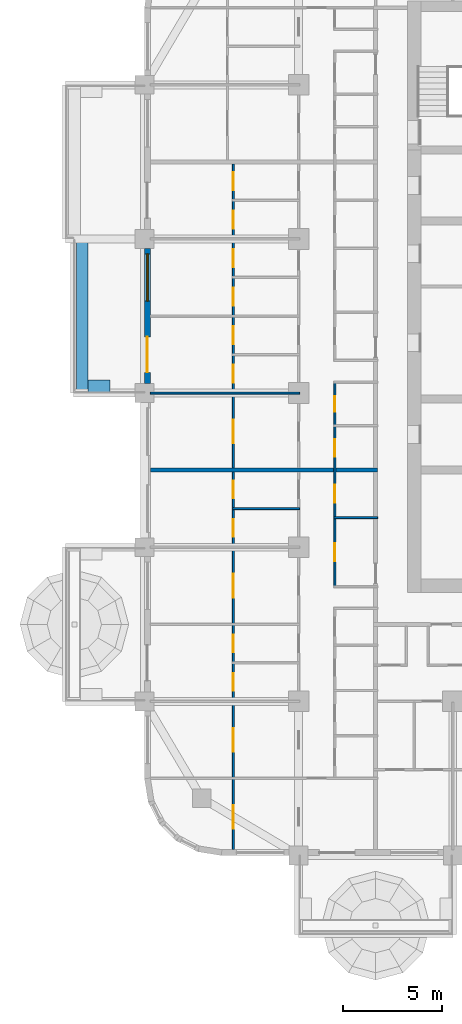
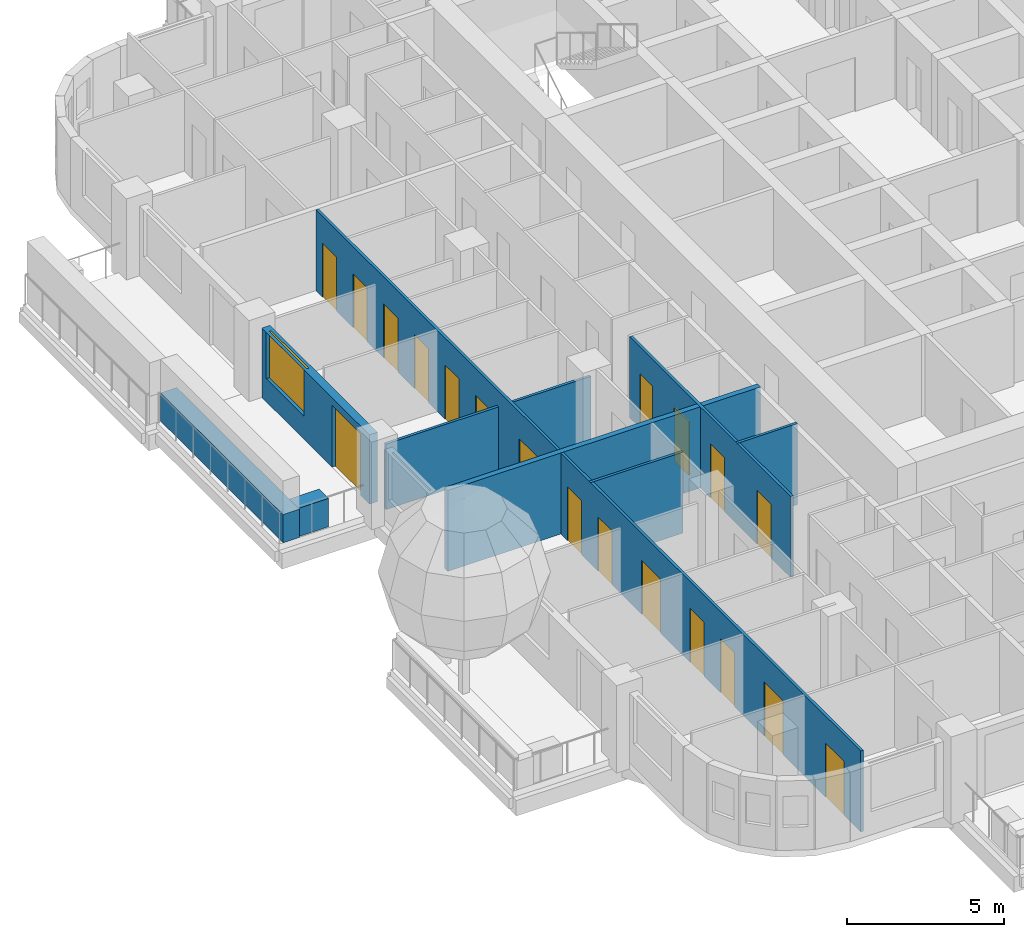
# One storey, part 5 of 19: 19 doors, 9 walls, 1 window, 20 openings.
"""IFC4 building model written with IfcOpenShell, lengths in metres."""

from ifc_helpers import new_model, si_unit, direction, frame, frame_2d, origin, place, context, subcontext, project, spatial, rectangle, extrude, material, layer, layer_set, type_object, element, fill, save


model = new_model("IFC4")

# Units and contexts
model_context = context("Model", 3, precision=1e-05, world=origin(), true_north=direction((0.0, 1.0)))
body_context = subcontext(model_context, "Body", "Model", "MODEL_VIEW")
ifc_project = project(units=[si_unit("LENGTHUNIT", "METRE"), si_unit("AREAUNIT", "SQUARE_METRE"), si_unit("VOLUMEUNIT", "CUBIC_METRE"), si_unit("PLANEANGLEUNIT", "RADIAN"), si_unit("MASSUNIT", "GRAM", prefix="KILO")], contexts=[model_context])

# Site, building, storey
site_placement = place(None, origin())
site = spatial("IfcSite", under=ifc_project, at=site_placement, CompositionType="ELEMENT")
building_placement = place(site_placement, origin())
building = spatial("IfcBuilding", under=site, at=building_placement, Name="Ludao Terraces", CompositionType="ELEMENT")
storey_placement = place(building_placement, frame((0.0, 0.0, 81.800048828125)))
storey = spatial("IfcBuildingStorey", under=building, at=storey_placement, Name="L22", CompositionType="ELEMENT", Elevation=81.800048828125)

# Walls
ifc_material_1 = material(Name="Concrete C40", Category="concrete")
ifc_layer_1 = layer(ifc_material_1, 0.60009765625)
ifc_layer_set_1 = layer_set([ifc_layer_1], Name="ENV Planter trough 600")
wall_type_1 = type_object("IfcWallType", Name="ENV Planter trough 600", PredefinedType="USERDEFINED", material=ifc_layer_set_1)
wall_1_placement = place(storey_placement, frame((58.449951171875, 65.0, 0.0), z_axis=(0.0, 0.0, 1.0), x_axis=(0.0, 1.0, 0.0)))
element("IfcWall", 1, at=wall_1_placement, inside=storey, type_object=wall_type_1, Name="PL-L22-W3", ObjectType="PLANTER", PredefinedType="USERDEFINED", context=body_context, shape_type="SweptSolid", body=[
    extrude(rectangle(XDim=7.800048828125, YDim=0.60009765625, at=frame_2d((3.89990234375, 0.0))), origin(), (0.0, 0.0, 1.0), 1.099853515625),
])
wall_2_placement = place(storey_placement, frame((58.75, 65.35009765625, 0.0), z_axis=(0.0, 0.0, 1.0), x_axis=(1.0, 0.0, 0.0)))
element("IfcWall", 2, at=wall_2_placement, inside=storey, type_object=wall_type_1, Name="PL-L22-W3-SA", ObjectType="PLANTER", PredefinedType="USERDEFINED", context=body_context, shape_type="SweptSolid", body=[
    extrude(rectangle(XDim=1.10009765625, YDim=0.60009765625, at=frame_2d((0.550048828125, 0.0))), origin(), (0.0, 0.0, 1.0), 1.099853515625),
])

# Wall, openings, door, window
ifc_material_2 = material(Name="Granite cladding", Category="masonry")
ifc_layer_2 = layer(ifc_material_2, 0.0400390625, Category="stone")
ifc_material_3 = material(Name="Mineral wool")
ifc_layer_3 = layer(ifc_material_3, 0.06005859375)
ifc_layer_4 = layer(ifc_material_1, 0.199951171875, Category="concrete")
ifc_layer_set_2 = layer_set([ifc_layer_2, ifc_layer_3, ifc_layer_4], Name="ENV Stone-clad wall 300")
wall_type_2 = type_object("IfcWallType", Name="ENV Stone-clad wall 300", PredefinedType="SOLIDWALL", material=ifc_layer_set_2)
wall_3_placement = place(storey_placement, frame((61.75, 65.47509765625, 0.0), z_axis=(0.0, 0.0, 1.0), x_axis=(0.0, 1.0, 0.0)))
wall_3 = element("IfcWall", 3, at=wall_3_placement, inside=storey, type_object=wall_type_2, Name="EW-L22-W4", PredefinedType="SOLIDWALL", context=body_context, shape_type="SweptSolid", body=[
    extrude(rectangle(XDim=6.849853515625, YDim=0.300048828125, at=frame_2d((3.4248046875, 0.0))), origin(), (0.0, 0.0, 1.0), 2.699951171875),
])
opening_1_placement = place(wall_3_placement, frame((0.574951171875, 0.0, 0.0)))
opening_1 = element("IfcOpeningElement", 4, at=opening_1_placement, cuts=wall_3, Name="Opening BD", PredefinedType="OPENING", context=body_context, shape_type="SweptSolid", body=[
    extrude(rectangle(XDim=1.800048828125, YDim=2.39990234375, at=frame_2d((0.89990234375, 1.199951171875))), frame((0.0, 0.16015625, 0.0), z_axis=(0.0, -1.0, 0.0), x_axis=(1.0, 0.0, 0.0)), (0.0, 0.0, 1.0), 0.320068359375),
])
opening_2_placement = place(wall_3_placement, frame((4.175048828125, 0.0, 0.89990234375)))
opening_2 = element("IfcOpeningElement", 5, at=opening_2_placement, cuts=wall_3, Name="Opening W1", PredefinedType="OPENING", context=body_context, shape_type="SweptSolid", body=[
    extrude(rectangle(XDim=2.39990234375, YDim=1.800048828125, at=frame_2d((1.199951171875, 0.89990234375))), frame((0.0, 0.16015625, 0.0), z_axis=(0.0, -1.0, 0.0), x_axis=(1.0, 0.0, 0.0)), (0.0, 0.0, 1.0), 0.320068359375),
])
ifc_material_4 = material(Name="Aluminium glazed door", Category="aluminium")
ifc_layer_5 = layer(ifc_material_4, 0.06005859375)
ifc_layer_set_3 = layer_set([ifc_layer_5], Name="ENV Balcony door BD 1800x2400")
door_type_1 = type_object("IfcDoorType", Name="ENV Balcony door BD 1800x2400", OperationType="DOUBLE_DOOR_SINGLE_SWING", PredefinedType="DOOR", material=ifc_layer_set_3)
door_1_placement = place(opening_1_placement, origin())
door_1 = element("IfcDoor", 6, at=door_1_placement, inside=storey, type_object=door_type_1, Name="BD-L22-W4-1", OperationType="DOUBLE_DOOR_SINGLE_SWING", OverallHeight=2.39990234375, OverallWidth=1.800048828125, PredefinedType="DOOR", context=body_context, shape_type="SweptSolid", body=[
    extrude(rectangle(XDim=1.800048828125, YDim=2.39990234375, at=frame_2d((0.89990234375, 1.199951171875))), frame((0.0, 0.02490234375, 0.0), z_axis=(0.0, -1.0, 0.0), x_axis=(1.0, 0.0, 0.0)), (0.0, 0.0, 1.0), 0.050048828125),
])
fill(opening_1, door_1)
ifc_material_5 = material(Name="Clear glass in aluminium frame", Category="aluminium")
ifc_layer_6 = layer(ifc_material_5, 0.06005859375)
ifc_layer_set_4 = layer_set([ifc_layer_6], Name="ENV Window W1 2400x1800")
window_type = type_object("IfcWindowType", Name="ENV Window W1 2400x1800", PartitioningType="DOUBLE_PANEL_VERTICAL", PredefinedType="WINDOW", material=ifc_layer_set_4)
window_placement = place(opening_2_placement, origin())
window = element("IfcWindow", 7, at=window_placement, inside=storey, type_object=window_type, Name="W-L22-W4-2", OverallHeight=1.800048828125, OverallWidth=2.39990234375, PartitioningType="DOUBLE_PANEL_VERTICAL", PredefinedType="WINDOW", context=body_context, shape_type="SweptSolid", body=[
    extrude(rectangle(XDim=2.39990234375, YDim=1.800048828125, at=frame_2d((1.199951171875, 0.89990234375))), frame((0.0, 0.030029296875, 0.0), z_axis=(0.0, -1.0, 0.0), x_axis=(1.0, 0.0, 0.0)), (0.0, 0.0, 1.0), 0.06005859375),
])
fill(opening_2, window)

# Walls
ifc_material_6 = material(Name="Gypsum plasterboard", Category="gypsum")
ifc_layer_7 = layer(ifc_material_6, 0.012451171875, Category="gypsum")
ifc_layer_8 = layer(ifc_material_3, 0.06005859375, Name="insulation")
ifc_material_7 = material(Name="Steel Q235", Category="steel")
ifc_layer_9 = layer(ifc_material_7, 0.014892578125, Name="stud")
ifc_layer_10 = layer(ifc_material_6, 0.012451171875, Category="gypsum")
ifc_layer_set_5 = layer_set([ifc_layer_7, ifc_layer_8, ifc_layer_9, ifc_layer_10], Name="INT Partition 100")
wall_type_3 = type_object("IfcWallType", Name="INT Partition 100", PredefinedType="PARTITIONING", material=ifc_layer_set_5)
wall_4_placement = place(storey_placement, frame((71.18017578125, 58.699951171875, 0.0), z_axis=(0.0, 0.0, 1.0), x_axis=(1.0, 0.0, 0.0)))
element("IfcWall", 8, at=wall_4_placement, inside=storey, type_object=wall_type_3, Name="PW-L22-PW029", PredefinedType="PARTITIONING", context=body_context, shape_type="SweptSolid", body=[
    extrude(rectangle(XDim=2.219970703125, YDim=0.10009765625, at=frame_2d((1.10986328125, 0.0))), origin(), (0.0, 0.0, 1.0), 3.14990234375),
])
wall_5_placement = place(storey_placement, frame((66.050048828125, 59.14990234375, 0.0), z_axis=(0.0, 0.0, 1.0), x_axis=(1.0, 0.0, 0.0)))
element("IfcWall", 9, at=wall_5_placement, inside=storey, type_object=wall_type_3, Name="PW-L22-PW030", PredefinedType="PARTITIONING", context=body_context, shape_type="SweptSolid", body=[
    extrude(rectangle(XDim=3.400146484375, YDim=0.10009765625, at=frame_2d((1.7001953125, 0.0))), origin(), (0.0, 0.0, 1.0), 3.14990234375),
])
wall_6_placement = place(storey_placement, frame((61.900146484375, 65.0, 0.0), z_axis=(0.0, 0.0, 1.0), x_axis=(1.0, 0.0, 0.0)))
element("IfcWall", 10, at=wall_6_placement, inside=storey, type_object=wall_type_3, Name="PW-L22-PW040", PredefinedType="PARTITIONING", context=body_context, shape_type="SweptSolid", body=[
    extrude(rectangle(XDim=7.550048828125, YDim=0.10009765625, at=frame_2d((3.77490234375, 0.0))), origin(), (0.0, 0.0, 1.0), 2.5498046875),
])

# Wall, openings, doors
wall_7_placement = place(storey_placement, frame((66.10009765625, 41.900146484375, 0.0), z_axis=(0.0, 0.0, 1.0), x_axis=(0.0, 1.0, 0.0)))
wall_7 = element("IfcWall", 11, at=wall_7_placement, inside=storey, type_object=wall_type_3, Name="PW-L22-PW082", PredefinedType="PARTITIONING", context=body_context, shape_type="SweptSolid", body=[
    extrude(rectangle(XDim=34.699951171875, YDim=0.10009765625, at=frame_2d((17.35009765625, 0.0))), origin(), (0.0, 0.0, 1.0), 3.14990234375),
])
opening_3_placement = place(wall_7_placement, frame((1.050048828125, 0.0, 0.0)))
opening_3 = element("IfcOpeningElement", 12, at=opening_3_placement, cuts=wall_7, Name="Opening R06-001", PredefinedType="OPENING", context=body_context, shape_type="SweptSolid", body=[
    extrude(rectangle(XDim=1.199951171875, YDim=2.10009765625, at=frame_2d((0.60009765625, 1.050048828125))), frame((0.0, 0.06005859375, 0.0), z_axis=(0.0, -1.0, 0.0), x_axis=(1.0, 0.0, 0.0)), (0.0, 0.0, 1.0), 0.1201171875),
])
opening_4_placement = place(wall_7_placement, frame((4.949951171875, 0.0, 0.0)))
opening_4 = element("IfcOpeningElement", 13, at=opening_4_placement, cuts=wall_7, Name="Opening R06-019", PredefinedType="OPENING", context=body_context, shape_type="SweptSolid", body=[
    extrude(rectangle(XDim=1.199951171875, YDim=2.10009765625, at=frame_2d((0.60009765625, 1.050048828125))), frame((0.0, 0.06005859375, 0.0), z_axis=(0.0, -1.0, 0.0), x_axis=(1.0, 0.0, 0.0)), (0.0, 0.0, 1.0), 0.1201171875),
])
opening_5_placement = place(wall_7_placement, frame((8.02490234375, 0.0, 0.0)))
opening_5 = element("IfcOpeningElement", 14, at=opening_5_placement, cuts=wall_7, Name="Opening R06-031", PredefinedType="OPENING", context=body_context, shape_type="SweptSolid", body=[
    extrude(rectangle(XDim=0.89990234375, YDim=2.10009765625, at=frame_2d((0.449951171875, 1.050048828125))), frame((0.0, 0.06005859375, 0.0), z_axis=(0.0, -1.0, 0.0), x_axis=(1.0, 0.0, 0.0)), (0.0, 0.0, 1.0), 0.1201171875),
])
opening_6_placement = place(wall_7_placement, frame((9.97509765625, 0.0, 0.0)))
opening_6 = element("IfcOpeningElement", 15, at=opening_6_placement, cuts=wall_7, Name="Opening R06-044", PredefinedType="OPENING", context=body_context, shape_type="SweptSolid", body=[
    extrude(rectangle(XDim=0.89990234375, YDim=2.10009765625, at=frame_2d((0.449951171875, 1.050048828125))), frame((0.0, 0.06005859375, 0.0), z_axis=(0.0, -1.0, 0.0), x_axis=(1.0, 0.0, 0.0)), (0.0, 0.0, 1.0), 0.1201171875),
])
opening_7_placement = place(wall_7_placement, frame((12.75, 0.0, 0.0)))
opening_7 = element("IfcOpeningElement", 16, at=opening_7_placement, cuts=wall_7, Name="Opening R06-051", PredefinedType="OPENING", context=body_context, shape_type="SweptSolid", body=[
    extrude(rectangle(XDim=1.199951171875, YDim=2.10009765625, at=frame_2d((0.60009765625, 1.050048828125))), frame((0.0, 0.06005859375, 0.0), z_axis=(0.0, -1.0, 0.0), x_axis=(1.0, 0.0, 0.0)), (0.0, 0.0, 1.0), 0.1201171875),
])
opening_8_placement = place(wall_7_placement, frame((15.824951171875, 0.0, 0.0)))
opening_8 = element("IfcOpeningElement", 17, at=opening_8_placement, cuts=wall_7, Name="Opening R06-063", PredefinedType="OPENING", context=body_context, shape_type="SweptSolid", body=[
    extrude(rectangle(XDim=0.89990234375, YDim=2.10009765625, at=frame_2d((0.449951171875, 1.050048828125))), frame((0.0, 0.06005859375, 0.0), z_axis=(0.0, -1.0, 0.0), x_axis=(1.0, 0.0, 0.0)), (0.0, 0.0, 1.0), 0.1201171875),
])
opening_9_placement = place(wall_7_placement, frame((17.77490234375, 0.0, 0.0)))
opening_9 = element("IfcOpeningElement", 18, at=opening_9_placement, cuts=wall_7, Name="Opening R06-067", PredefinedType="OPENING", context=body_context, shape_type="SweptSolid", body=[
    extrude(rectangle(XDim=0.89990234375, YDim=2.10009765625, at=frame_2d((0.449951171875, 1.050048828125))), frame((0.0, 0.06005859375, 0.0), z_axis=(0.0, -1.0, 0.0), x_axis=(1.0, 0.0, 0.0)), (0.0, 0.0, 1.0), 0.1201171875),
])
opening_10_placement = place(wall_7_placement, frame((20.550048828125, 0.0, 0.0)))
opening_10 = element("IfcOpeningElement", 19, at=opening_10_placement, cuts=wall_7, Name="Opening R06-077", PredefinedType="OPENING", context=body_context, shape_type="SweptSolid", body=[
    extrude(rectangle(XDim=1.199951171875, YDim=2.10009765625, at=frame_2d((0.60009765625, 1.050048828125))), frame((0.0, 0.06005859375, 0.0), z_axis=(0.0, -1.0, 0.0), x_axis=(1.0, 0.0, 0.0)), (0.0, 0.0, 1.0), 0.1201171875),
])
opening_11_placement = place(wall_7_placement, frame((23.625, 0.0, 0.0)))
opening_11 = element("IfcOpeningElement", 20, at=opening_11_placement, cuts=wall_7, Name="Opening R06-087", PredefinedType="OPENING", context=body_context, shape_type="SweptSolid", body=[
    extrude(rectangle(XDim=0.89990234375, YDim=2.10009765625, at=frame_2d((0.449951171875, 1.050048828125))), frame((0.0, 0.06005859375, 0.0), z_axis=(0.0, -1.0, 0.0), x_axis=(1.0, 0.0, 0.0)), (0.0, 0.0, 1.0), 0.1201171875),
])
opening_12_placement = place(wall_7_placement, frame((25.574951171875, 0.0, 0.0)))
opening_12 = element("IfcOpeningElement", 21, at=opening_12_placement, cuts=wall_7, Name="Opening R06-094", PredefinedType="OPENING", context=body_context, shape_type="SweptSolid", body=[
    extrude(rectangle(XDim=0.89990234375, YDim=2.10009765625, at=frame_2d((0.449951171875, 1.050048828125))), frame((0.0, 0.06005859375, 0.0), z_axis=(0.0, -1.0, 0.0), x_axis=(1.0, 0.0, 0.0)), (0.0, 0.0, 1.0), 0.1201171875),
])
opening_13_placement = place(wall_7_placement, frame((27.52490234375, 0.0, 0.0)))
opening_13 = element("IfcOpeningElement", 22, at=opening_13_placement, cuts=wall_7, Name="Opening R06-100", PredefinedType="OPENING", context=body_context, shape_type="SweptSolid", body=[
    extrude(rectangle(XDim=0.89990234375, YDim=2.10009765625, at=frame_2d((0.449951171875, 1.050048828125))), frame((0.0, 0.06005859375, 0.0), z_axis=(0.0, -1.0, 0.0), x_axis=(1.0, 0.0, 0.0)), (0.0, 0.0, 1.0), 0.1201171875),
])
opening_14_placement = place(wall_7_placement, frame((29.47509765625, 0.0, 0.0)))
opening_14 = element("IfcOpeningElement", 23, at=opening_14_placement, cuts=wall_7, Name="Opening R06-107", PredefinedType="OPENING", context=body_context, shape_type="SweptSolid", body=[
    extrude(rectangle(XDim=0.89990234375, YDim=2.10009765625, at=frame_2d((0.449951171875, 1.050048828125))), frame((0.0, 0.06005859375, 0.0), z_axis=(0.0, -1.0, 0.0), x_axis=(1.0, 0.0, 0.0)), (0.0, 0.0, 1.0), 0.1201171875),
])
opening_15_placement = place(wall_7_placement, frame((31.425048828125, 0.0, 0.0)))
opening_15 = element("IfcOpeningElement", 24, at=opening_15_placement, cuts=wall_7, Name="Opening R06-115", PredefinedType="OPENING", context=body_context, shape_type="SweptSolid", body=[
    extrude(rectangle(XDim=0.89990234375, YDim=2.10009765625, at=frame_2d((0.449951171875, 1.050048828125))), frame((0.0, 0.06005859375, 0.0), z_axis=(0.0, -1.0, 0.0), x_axis=(1.0, 0.0, 0.0)), (0.0, 0.0, 1.0), 0.1201171875),
])
opening_16_placement = place(wall_7_placement, frame((33.375, 0.0, 0.0)))
opening_16 = element("IfcOpeningElement", 25, at=opening_16_placement, cuts=wall_7, Name="Opening R06-123", PredefinedType="OPENING", context=body_context, shape_type="SweptSolid", body=[
    extrude(rectangle(XDim=0.89990234375, YDim=2.10009765625, at=frame_2d((0.449951171875, 1.050048828125))), frame((0.0, 0.06005859375, 0.0), z_axis=(0.0, -1.0, 0.0), x_axis=(1.0, 0.0, 0.0)), (0.0, 0.0, 1.0), 0.1201171875),
])
ifc_material_8 = material(Name="Timber door leaf", Category="wood")
door_type_2 = type_object("IfcDoorType", Name="INT Bathroom door 900", OperationType="SINGLE_SWING_LEFT", PredefinedType="DOOR", material=ifc_material_8)
door_2_placement = place(opening_5_placement, origin())
door_2 = element("IfcDoor", 26, at=door_2_placement, inside=storey, type_object=door_type_2, Name="DOOR 031", OperationType="SINGLE_SWING_RIGHT", OverallHeight=2.10009765625, OverallWidth=0.89990234375, PredefinedType="DOOR", context=body_context, shape_type="SweptSolid", body=[
    extrude(rectangle(XDim=0.89990234375, YDim=2.10009765625, at=frame_2d((0.449951171875, 1.050048828125))), frame((0.0, 0.02490234375, 0.0), z_axis=(0.0, -1.0, 0.0), x_axis=(1.0, 0.0, 0.0)), (0.0, 0.0, 1.0), 0.050048828125),
])
fill(opening_5, door_2)
door_3_placement = place(opening_8_placement, origin())
door_3 = element("IfcDoor", 27, at=door_3_placement, inside=storey, type_object=door_type_2, Name="DOOR 063", OperationType="SINGLE_SWING_LEFT", OverallHeight=2.10009765625, OverallWidth=0.89990234375, PredefinedType="DOOR", context=body_context, shape_type="SweptSolid", body=[
    extrude(rectangle(XDim=0.89990234375, YDim=2.10009765625, at=frame_2d((0.449951171875, 1.050048828125))), frame((0.0, 0.02490234375, 0.0), z_axis=(0.0, -1.0, 0.0), x_axis=(1.0, 0.0, 0.0)), (0.0, 0.0, 1.0), 0.050048828125),
])
fill(opening_8, door_3)
door_4_placement = place(opening_11_placement, origin())
door_4 = element("IfcDoor", 28, at=door_4_placement, inside=storey, type_object=door_type_2, Name="DOOR 087", OperationType="SINGLE_SWING_LEFT", OverallHeight=2.10009765625, OverallWidth=0.89990234375, PredefinedType="DOOR", context=body_context, shape_type="SweptSolid", body=[
    extrude(rectangle(XDim=0.89990234375, YDim=2.10009765625, at=frame_2d((0.449951171875, 1.050048828125))), frame((0.0, 0.02490234375, 0.0), z_axis=(0.0, -1.0, 0.0), x_axis=(1.0, 0.0, 0.0)), (0.0, 0.0, 1.0), 0.050048828125),
])
fill(opening_11, door_4)
door_5_placement = place(opening_13_placement, origin())
door_5 = element("IfcDoor", 29, at=door_5_placement, inside=storey, type_object=door_type_2, Name="DOOR 100", OperationType="SINGLE_SWING_RIGHT", OverallHeight=2.10009765625, OverallWidth=0.89990234375, PredefinedType="DOOR", context=body_context, shape_type="SweptSolid", body=[
    extrude(rectangle(XDim=0.89990234375, YDim=2.10009765625, at=frame_2d((0.449951171875, 1.050048828125))), frame((0.0, 0.02490234375, 0.0), z_axis=(0.0, -1.0, 0.0), x_axis=(1.0, 0.0, 0.0)), (0.0, 0.0, 1.0), 0.050048828125),
])
fill(opening_13, door_5)
door_6_placement = place(opening_15_placement, origin())
door_6 = element("IfcDoor", 30, at=door_6_placement, inside=storey, type_object=door_type_2, Name="DOOR 115", OperationType="SINGLE_SWING_RIGHT", OverallHeight=2.10009765625, OverallWidth=0.89990234375, PredefinedType="DOOR", context=body_context, shape_type="SweptSolid", body=[
    extrude(rectangle(XDim=0.89990234375, YDim=2.10009765625, at=frame_2d((0.449951171875, 1.050048828125))), frame((0.0, 0.02490234375, 0.0), z_axis=(0.0, -1.0, 0.0), x_axis=(1.0, 0.0, 0.0)), (0.0, 0.0, 1.0), 0.050048828125),
])
fill(opening_15, door_6)
door_type_3 = type_object("IfcDoorType", Name="INT Double door 1200", OperationType="DOUBLE_DOOR_SINGLE_SWING", PredefinedType="DOOR", material=ifc_material_8)
door_7_placement = place(opening_3_placement, origin())
door_7 = element("IfcDoor", 31, at=door_7_placement, inside=storey, type_object=door_type_3, Name="DOOR 001", OperationType="DOUBLE_DOOR_SINGLE_SWING", OverallHeight=2.10009765625, OverallWidth=1.199951171875, PredefinedType="DOOR", context=body_context, shape_type="SweptSolid", body=[
    extrude(rectangle(XDim=1.199951171875, YDim=2.10009765625, at=frame_2d((0.60009765625, 1.050048828125))), frame((0.0, 0.02490234375, 0.0), z_axis=(0.0, -1.0, 0.0), x_axis=(1.0, 0.0, 0.0)), (0.0, 0.0, 1.0), 0.050048828125),
])
fill(opening_3, door_7)
door_8_placement = place(opening_4_placement, origin())
door_8 = element("IfcDoor", 32, at=door_8_placement, inside=storey, type_object=door_type_3, Name="DOOR 019", OperationType="DOUBLE_DOOR_SINGLE_SWING", OverallHeight=2.10009765625, OverallWidth=1.199951171875, PredefinedType="DOOR", context=body_context, shape_type="SweptSolid", body=[
    extrude(rectangle(XDim=1.199951171875, YDim=2.10009765625, at=frame_2d((0.60009765625, 1.050048828125))), frame((0.0, 0.02490234375, 0.0), z_axis=(0.0, -1.0, 0.0), x_axis=(1.0, 0.0, 0.0)), (0.0, 0.0, 1.0), 0.050048828125),
])
fill(opening_4, door_8)
door_9_placement = place(opening_7_placement, origin())
door_9 = element("IfcDoor", 33, at=door_9_placement, inside=storey, type_object=door_type_3, Name="DOOR 051", OperationType="DOUBLE_DOOR_SINGLE_SWING", OverallHeight=2.10009765625, OverallWidth=1.199951171875, PredefinedType="DOOR", context=body_context, shape_type="SweptSolid", body=[
    extrude(rectangle(XDim=1.199951171875, YDim=2.10009765625, at=frame_2d((0.60009765625, 1.050048828125))), frame((0.0, 0.02490234375, 0.0), z_axis=(0.0, -1.0, 0.0), x_axis=(1.0, 0.0, 0.0)), (0.0, 0.0, 1.0), 0.050048828125),
])
fill(opening_7, door_9)
door_10_placement = place(opening_10_placement, origin())
door_10 = element("IfcDoor", 34, at=door_10_placement, inside=storey, type_object=door_type_3, Name="DOOR 077", OperationType="DOUBLE_DOOR_SINGLE_SWING", OverallHeight=2.10009765625, OverallWidth=1.199951171875, PredefinedType="DOOR", context=body_context, shape_type="SweptSolid", body=[
    extrude(rectangle(XDim=1.199951171875, YDim=2.10009765625, at=frame_2d((0.60009765625, 1.050048828125))), frame((0.0, 0.02490234375, 0.0), z_axis=(0.0, -1.0, 0.0), x_axis=(1.0, 0.0, 0.0)), (0.0, 0.0, 1.0), 0.050048828125),
])
fill(opening_10, door_10)
door_type_4 = type_object("IfcDoorType", Name="INT Room door 900", OperationType="SINGLE_SWING_LEFT", PredefinedType="DOOR", material=ifc_material_8)
door_11_placement = place(opening_6_placement, origin())
door_11 = element("IfcDoor", 35, at=door_11_placement, inside=storey, type_object=door_type_4, Name="DOOR 044", OperationType="SINGLE_SWING_RIGHT", OverallHeight=2.10009765625, OverallWidth=0.89990234375, PredefinedType="DOOR", context=body_context, shape_type="SweptSolid", body=[
    extrude(rectangle(XDim=0.89990234375, YDim=2.10009765625, at=frame_2d((0.449951171875, 1.050048828125))), frame((0.0, 0.02490234375, 0.0), z_axis=(0.0, -1.0, 0.0), x_axis=(1.0, 0.0, 0.0)), (0.0, 0.0, 1.0), 0.050048828125),
])
fill(opening_6, door_11)
door_12_placement = place(opening_9_placement, origin())
door_12 = element("IfcDoor", 36, at=door_12_placement, inside=storey, type_object=door_type_4, Name="DOOR 067", OperationType="SINGLE_SWING_LEFT", OverallHeight=2.10009765625, OverallWidth=0.89990234375, PredefinedType="DOOR", context=body_context, shape_type="SweptSolid", body=[
    extrude(rectangle(XDim=0.89990234375, YDim=2.10009765625, at=frame_2d((0.449951171875, 1.050048828125))), frame((0.0, 0.02490234375, 0.0), z_axis=(0.0, -1.0, 0.0), x_axis=(1.0, 0.0, 0.0)), (0.0, 0.0, 1.0), 0.050048828125),
])
fill(opening_9, door_12)
door_13_placement = place(opening_12_placement, origin())
door_13 = element("IfcDoor", 37, at=door_13_placement, inside=storey, type_object=door_type_4, Name="DOOR 094", OperationType="SINGLE_SWING_RIGHT", OverallHeight=2.10009765625, OverallWidth=0.89990234375, PredefinedType="DOOR", context=body_context, shape_type="SweptSolid", body=[
    extrude(rectangle(XDim=0.89990234375, YDim=2.10009765625, at=frame_2d((0.449951171875, 1.050048828125))), frame((0.0, 0.02490234375, 0.0), z_axis=(0.0, -1.0, 0.0), x_axis=(1.0, 0.0, 0.0)), (0.0, 0.0, 1.0), 0.050048828125),
])
fill(opening_12, door_13)
door_14_placement = place(opening_14_placement, origin())
door_14 = element("IfcDoor", 38, at=door_14_placement, inside=storey, type_object=door_type_4, Name="DOOR 107", OperationType="SINGLE_SWING_LEFT", OverallHeight=2.10009765625, OverallWidth=0.89990234375, PredefinedType="DOOR", context=body_context, shape_type="SweptSolid", body=[
    extrude(rectangle(XDim=0.89990234375, YDim=2.10009765625, at=frame_2d((0.449951171875, 1.050048828125))), frame((0.0, 0.02490234375, 0.0), z_axis=(0.0, -1.0, 0.0), x_axis=(1.0, 0.0, 0.0)), (0.0, 0.0, 1.0), 0.050048828125),
])
fill(opening_14, door_14)
door_15_placement = place(opening_16_placement, origin())
door_15 = element("IfcDoor", 39, at=door_15_placement, inside=storey, type_object=door_type_4, Name="DOOR 123", OperationType="SINGLE_SWING_LEFT", OverallHeight=2.10009765625, OverallWidth=0.89990234375, PredefinedType="DOOR", context=body_context, shape_type="SweptSolid", body=[
    extrude(rectangle(XDim=0.89990234375, YDim=2.10009765625, at=frame_2d((0.449951171875, 1.050048828125))), frame((0.0, 0.02490234375, 0.0), z_axis=(0.0, -1.0, 0.0), x_axis=(1.0, 0.0, 0.0)), (0.0, 0.0, 1.0), 0.050048828125),
])
fill(opening_16, door_15)

wall_8_placement = place(storey_placement, frame((71.22998046875, 55.25, 0.0), z_axis=(0.0, 0.0, 1.0), x_axis=(0.0, 1.0, 0.0)))
wall_8 = element("IfcWall", 40, at=wall_8_placement, inside=storey, type_object=wall_type_3, Name="PW-L22-PW085", PredefinedType="PARTITIONING", context=body_context, shape_type="SweptSolid", body=[
    extrude(rectangle(XDim=10.25, YDim=0.10009765625, at=frame_2d((5.125, 0.0))), origin(), (0.0, 0.0, 1.0), 3.14990234375),
])
opening_17_placement = place(wall_8_placement, frame((1.25, 0.0, 0.0)))
opening_17 = element("IfcOpeningElement", 41, at=opening_17_placement, cuts=wall_8, Name="Opening R06-060", PredefinedType="OPENING", context=body_context, shape_type="SweptSolid", body=[
    extrude(rectangle(XDim=0.89990234375, YDim=2.10009765625, at=frame_2d((0.449951171875, 1.050048828125))), frame((0.0, 0.06005859375, 0.0), z_axis=(0.0, -1.0, 0.0), x_axis=(1.0, 0.0, 0.0)), (0.0, 0.0, 1.0), 0.1201171875),
])
opening_18_placement = place(wall_8_placement, frame((4.2001953125, 0.0, 0.0)))
opening_18 = element("IfcOpeningElement", 42, at=opening_18_placement, cuts=wall_8, Name="Opening R06-066", PredefinedType="OPENING", context=body_context, shape_type="SweptSolid", body=[
    extrude(rectangle(XDim=0.89990234375, YDim=2.10009765625, at=frame_2d((0.449951171875, 1.050048828125))), frame((0.0, 0.06005859375, 0.0), z_axis=(0.0, -1.0, 0.0), x_axis=(1.0, 0.0, 0.0)), (0.0, 0.0, 1.0), 0.1201171875),
])
opening_19_placement = place(wall_8_placement, frame((6.525146484375, 0.0, 0.0)))
opening_19 = element("IfcOpeningElement", 43, at=opening_19_placement, cuts=wall_8, Name="Opening R06-074", PredefinedType="OPENING", context=body_context, shape_type="SweptSolid", body=[
    extrude(rectangle(XDim=0.89990234375, YDim=2.10009765625, at=frame_2d((0.449951171875, 1.050048828125))), frame((0.0, 0.06005859375, 0.0), z_axis=(0.0, -1.0, 0.0), x_axis=(1.0, 0.0, 0.0)), (0.0, 0.0, 1.0), 0.1201171875),
])
opening_20_placement = place(wall_8_placement, frame((8.800048828125, 0.0, 0.0)))
opening_20 = element("IfcOpeningElement", 44, at=opening_20_placement, cuts=wall_8, Name="Opening R06-084", PredefinedType="OPENING", context=body_context, shape_type="SweptSolid", body=[
    extrude(rectangle(XDim=0.800048828125, YDim=2.10009765625, at=frame_2d((0.39990234375, 1.050048828125))), frame((0.0, 0.06005859375, 0.0), z_axis=(0.0, -1.0, 0.0), x_axis=(1.0, 0.0, 0.0)), (0.0, 0.0, 1.0), 0.1201171875),
])
door_16_placement = place(opening_18_placement, origin())
door_16 = element("IfcDoor", 45, at=door_16_placement, inside=storey, type_object=door_type_2, Name="DOOR 066", OperationType="SINGLE_SWING_LEFT", OverallHeight=2.10009765625, OverallWidth=0.89990234375, PredefinedType="DOOR", context=body_context, shape_type="SweptSolid", body=[
    extrude(rectangle(XDim=0.89990234375, YDim=2.10009765625, at=frame_2d((0.449951171875, 1.050048828125))), frame((0.0, 0.02490234375, 0.0), z_axis=(0.0, -1.0, 0.0), x_axis=(1.0, 0.0, 0.0)), (0.0, 0.0, 1.0), 0.050048828125),
])
fill(opening_18, door_16)
door_17_placement = place(opening_19_placement, origin())
door_17 = element("IfcDoor", 46, at=door_17_placement, inside=storey, type_object=door_type_2, Name="DOOR 074", OperationType="SINGLE_SWING_RIGHT", OverallHeight=2.10009765625, OverallWidth=0.89990234375, PredefinedType="DOOR", context=body_context, shape_type="SweptSolid", body=[
    extrude(rectangle(XDim=0.89990234375, YDim=2.10009765625, at=frame_2d((0.449951171875, 1.050048828125))), frame((0.0, 0.02490234375, 0.0), z_axis=(0.0, -1.0, 0.0), x_axis=(1.0, 0.0, 0.0)), (0.0, 0.0, 1.0), 0.050048828125),
])
fill(opening_19, door_17)
door_18_placement = place(opening_17_placement, origin())
door_18 = element("IfcDoor", 47, at=door_18_placement, inside=storey, type_object=door_type_4, Name="DOOR 060", OperationType="SINGLE_SWING_LEFT", OverallHeight=2.10009765625, OverallWidth=0.89990234375, PredefinedType="DOOR", context=body_context, shape_type="SweptSolid", body=[
    extrude(rectangle(XDim=0.89990234375, YDim=2.10009765625, at=frame_2d((0.449951171875, 1.050048828125))), frame((0.0, 0.02490234375, 0.0), z_axis=(0.0, -1.0, 0.0), x_axis=(1.0, 0.0, 0.0)), (0.0, 0.0, 1.0), 0.050048828125),
])
fill(opening_17, door_18)
door_type_5 = type_object("IfcDoorType", Name="INT Store door 800", OperationType="SINGLE_SWING_LEFT", PredefinedType="DOOR", material=ifc_material_8)
door_19_placement = place(opening_20_placement, origin())
door_19 = element("IfcDoor", 48, at=door_19_placement, inside=storey, type_object=door_type_5, Name="DOOR 084", OperationType="SINGLE_SWING_LEFT", OverallHeight=2.10009765625, OverallWidth=0.800048828125, PredefinedType="DOOR", context=body_context, shape_type="SweptSolid", body=[
    extrude(rectangle(XDim=0.800048828125, YDim=2.10009765625, at=frame_2d((0.39990234375, 1.050048828125))), frame((0.0, 0.02490234375, 0.0), z_axis=(0.0, -1.0, 0.0), x_axis=(1.0, 0.0, 0.0)), (0.0, 0.0, 1.0), 0.050048828125),
])
fill(opening_20, door_19)

# Wall
ifc_material_9 = material(Name="Autoclaved aerated concrete block B06 A3.5", Category="concrete")
ifc_layer_11 = layer(ifc_material_9, 0.199951171875)
ifc_layer_set_6 = layer_set([ifc_layer_11], Name="INT Party wall 200")
wall_type_4 = type_object("IfcWallType", Name="INT Party wall 200", PredefinedType="PARTITIONING", material=ifc_layer_set_6)
wall_9_placement = place(storey_placement, frame((61.900146484375, 61.10009765625, 0.0), z_axis=(0.0, 0.0, 1.0), x_axis=(1.0, 0.0, 0.0)))
element("IfcWall", 49, at=wall_9_placement, inside=storey, type_object=wall_type_4, Name="PW-L22-PW033", PredefinedType="PARTITIONING", context=body_context, shape_type="SweptSolid", body=[
    extrude(rectangle(XDim=11.5, YDim=0.199951171875, at=frame_2d((5.75, 0.0))), origin(), (0.0, 0.0, 1.0), 3.14990234375),
])

save(model, "model.ifc")
